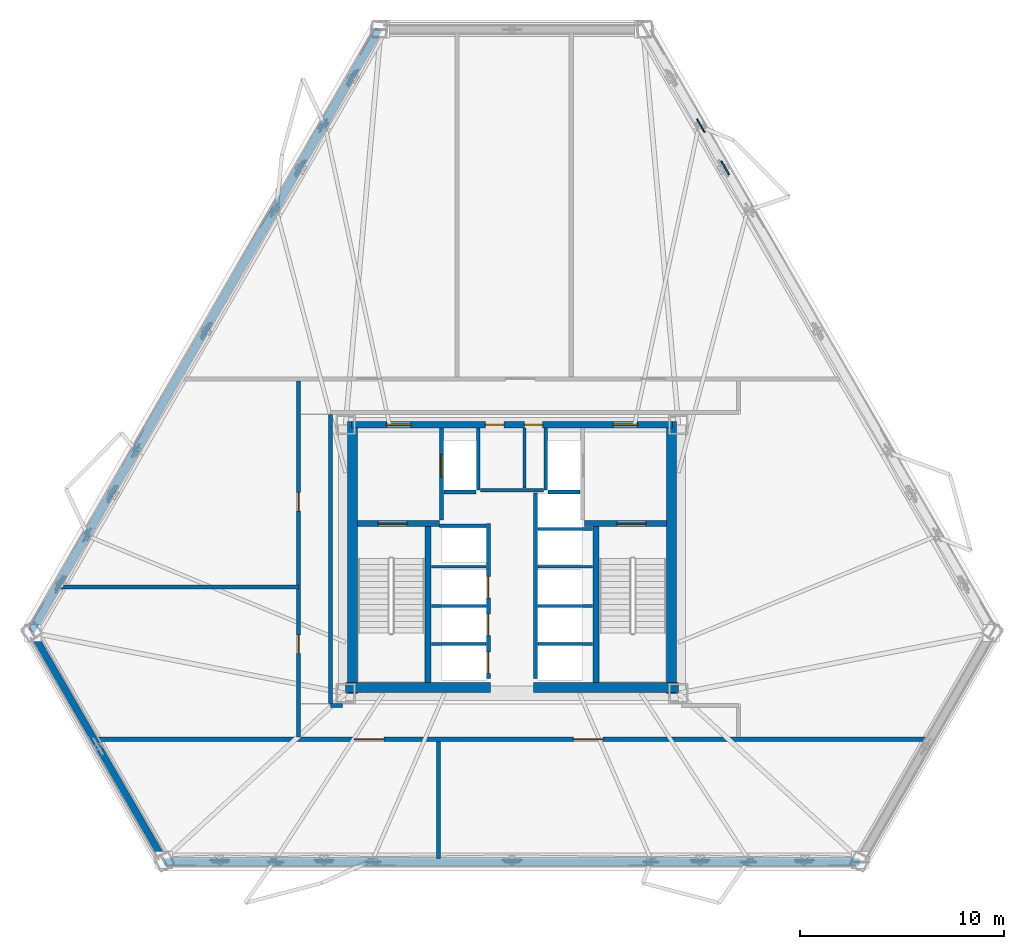
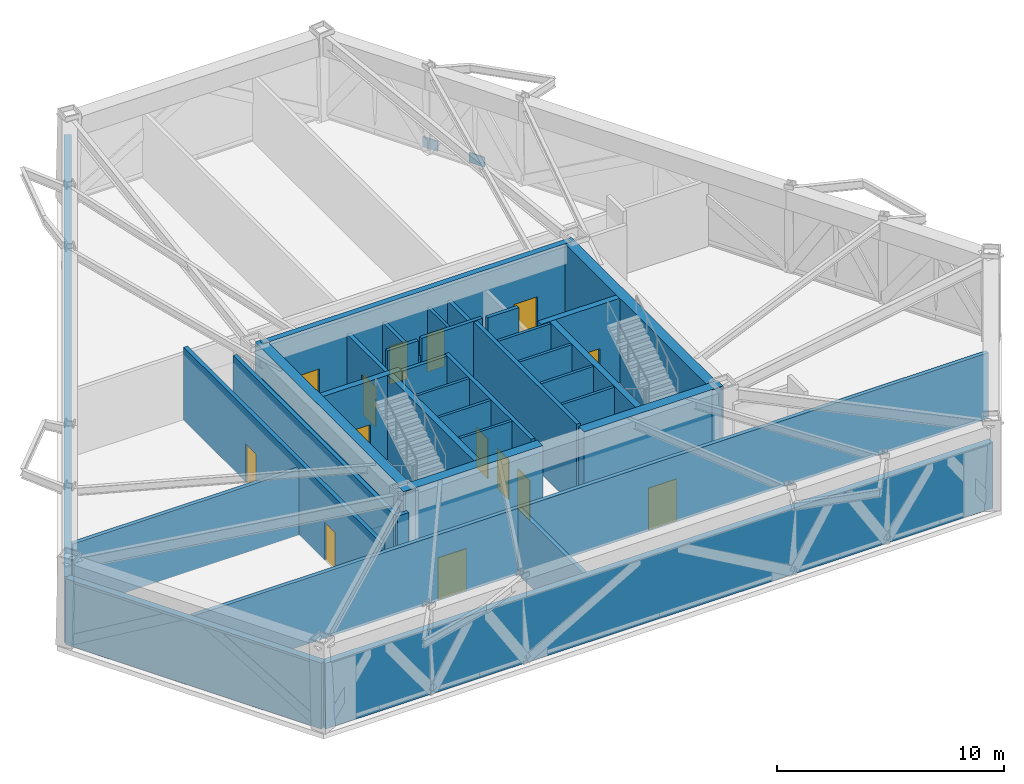
# One storey, part 7 of 11: 35 walls, 14 doors, 2 plates, 14 openings.
"""IFC4 building model written with IfcOpenShell, lengths in metres."""

import ifcopenshell
import ifcopenshell.guid

model = None  # the IFC model being written
_history = None  # IfcOwnerHistory: only IFC2X3 demands one
_inside = {}  # id of a spatial element -> (the spatial element, [elements in it])
_under = {}  # id of a project, library or spatial element -> (it, [spatial elements below it])
_declared = {}  # id of a project -> (the project, [libraries it declares])
_typed = {}  # id of a type object -> (the type object, [elements of that type])
_made_of = {}  # id of a material, layer set ... -> (it, [elements and type objects made of it])


def new_model(schema):
    """Start an empty IFC model of exactly this schema.

    Asked for "IFC4X3", IfcOpenShell would pick the latest addendum, in which some entities
    have other attributes; the version numbers below select the first issue.
    IFC2X3 requires an IfcOwnerHistory on every rooted entity: one is made here for all.
    """
    global model, _history
    if schema == "IFC4X3":
        model = ifcopenshell.file(schema_version=(4, 3, 0, 0))
    else:
        model = ifcopenshell.file(schema=schema)
    _inside.clear()
    _under.clear()
    _declared.clear()
    _typed.clear()
    _made_of.clear()
    _history = None
    if model.schema == "IFC2X3":
        org = make("IfcOrganization", Name="unknown")
        user = make(
            "IfcPersonAndOrganization",
            ThePerson=make("IfcPerson", FamilyName="unknown"),
            TheOrganization=org,
        )
        app = make(
            "IfcApplication",
            ApplicationDeveloper=org,
            Version="unknown",
            ApplicationFullName="unknown",
            ApplicationIdentifier="unknown",
        )
        _history = make(
            "IfcOwnerHistory",
            OwningUser=user,
            OwningApplication=app,
            ChangeAction="ADDED",
            CreationDate=0,
        )
    return model


def make(cls, **values):
    """One entity of the class cls with the attributes given. An attribute that is None is left unset."""
    return model.create_entity(
        cls, **{name: value for name, value in values.items() if value is not None}
    )


def rooted(cls, **values):
    """An entity with a GlobalId (a new one), such as an element, a storey or a relation."""
    return make(cls, GlobalId=ifcopenshell.guid.new(), OwnerHistory=_history, **values)


def si_unit(unit_type, name, prefix=None):
    """IfcSIUnit, for example si_unit("LENGTHUNIT", "METRE", prefix="MILLI")."""
    return make("IfcSIUnit", UnitType=unit_type, Prefix=prefix, Name=name)


def assignment(units):
    """IfcUnitAssignment: the units of a project."""
    return None if units is None else make("IfcUnitAssignment", Units=units)


def point(xyz):
    """IfcCartesianPoint."""
    return None if xyz is None else make("IfcCartesianPoint", Coordinates=xyz)


def direction(xyz):
    """IfcDirection."""
    return None if xyz is None else make("IfcDirection", DirectionRatios=xyz)


def frame(location, z_axis=None, x_axis=None):
    """IfcAxis2Placement3D, a coordinate frame: its origin and axes. An axis left out is left unset."""
    return make(
        "IfcAxis2Placement3D",
        Location=point(location),
        Axis=direction(z_axis),
        RefDirection=direction(x_axis),
    )


def frame_2d(location, x_axis=None):
    """IfcAxis2Placement2D, a coordinate frame in the plane: its origin and x axis."""
    return make(
        "IfcAxis2Placement2D", Location=point(location), RefDirection=direction(x_axis)
    )


def origin():
    """The frame at (0, 0, 0) with its axes left unset."""
    return frame((0.0, 0.0, 0.0))


def origin_2d():
    """The frame at (0, 0) in the plane with its x axis left unset."""
    return frame_2d((0.0, 0.0))


def place(relative_to, where):
    """IfcLocalPlacement: puts the frame where relative to a parent placement (None: the world)."""
    return make(
        "IfcLocalPlacement", PlacementRelTo=relative_to, RelativePlacement=where
    )


def context(
    kind, dimensions, precision=None, world=None, true_north=None, identifier=None
):
    """IfcGeometricRepresentationContext, for example the 3D "Model" context."""
    return make(
        "IfcGeometricRepresentationContext",
        ContextIdentifier=identifier,
        ContextType=kind,
        CoordinateSpaceDimension=dimensions,
        Precision=precision,
        WorldCoordinateSystem=world,
        TrueNorth=true_north,
    )


def subcontext(parent, identifier, kind, view, scale=None):
    """IfcGeometricRepresentationSubContext, for example "Body" below "Model"."""
    return make(
        "IfcGeometricRepresentationSubContext",
        ContextIdentifier=identifier,
        ContextType=kind,
        ParentContext=parent,
        TargetScale=scale,
        TargetView=view,
    )


def project(units=None, contexts=None):
    """IfcProject with its units and contexts."""
    return rooted(
        "IfcProject",
        Name="project",
        RepresentationContexts=contexts,
        UnitsInContext=assignment(units),
    )


def spatial(cls, under=None, at=None, **own):
    """A site, building, storey or space (cls), placed at a placement, below another one or the project."""
    s = rooted(cls, ObjectPlacement=at, **own)
    if under is not None:
        _under.setdefault(under.id(), (under, []))[1].append(s)
    return s


def profile(cls, at=None, kind="AREA", **sizes):
    """A parametric profile (cls). Its sizes go by their IFC names, for example OverallWidth=200.0."""
    return make(cls, ProfileType=kind, Position=at, **sizes)


def rectangle(**sizes):
    """IfcRectangleProfileDef."""
    return profile("IfcRectangleProfileDef", **sizes)


def extrude(swept, where, along, depth):
    """IfcExtrudedAreaSolid: the profile swept, set in the frame where, extruded along a direction by depth."""
    return make(
        "IfcExtrudedAreaSolid",
        SweptArea=swept,
        Position=where,
        ExtrudedDirection=direction(along),
        Depth=depth,
    )


def shape(context_of_items, identifier, shape_type, items):
    """IfcShapeRepresentation: the items that make up one representation, for example the "Body"."""
    return make(
        "IfcShapeRepresentation",
        ContextOfItems=context_of_items,
        RepresentationIdentifier=identifier,
        RepresentationType=shape_type,
        Items=items,
    )


def material(Name=None, Category=None):
    """IfcMaterial."""
    return make("IfcMaterial", Name=Name, Category=Category)


def layer(
    of_material, thickness, ventilated=None, Name=None, Category=None, Priority=None
):
    """IfcMaterialLayer: one layer of a wall or slab, of a material (None: an air gap)."""
    return make(
        "IfcMaterialLayer",
        Material=of_material,
        LayerThickness=thickness,
        IsVentilated=ventilated,
        Name=Name,
        Category=Category,
        Priority=Priority,
    )


def layer_set(layers, Name=None):
    """IfcMaterialLayerSet."""
    return make("IfcMaterialLayerSet", MaterialLayers=layers, LayerSetName=Name)


def made_of(thing, what):
    """Note that an element or type object is made of a material, layer set ...; save() writes the relation."""
    if what is not None:
        _made_of.setdefault(what.id(), (what, []))[1].append(thing)
    return thing


def type_object(cls, material=None, **own):
    """A type object (cls), such as IfcWallType, which elements share."""
    return made_of(rooted(cls, **own), material)


def element(
    cls,
    number,
    at=None,
    inside=None,
    cuts=None,
    type_object=None,
    material=None,
    context=None,
    identifier="Body",
    shape_type=None,
    held_by="IfcProductDefinitionShape",
    body=None,
    shapes=None,
    **own,
):
    """One element of the class cls, such as IfcWall. Its Tag is "e" and its number.

    at: its placement. inside: the storey or other place that contains it. cuts: it is an
    opening in that element (IfcRelVoidsElement). A single representation is given by context,
    identifier, shape_type and body (its items); several are given by shapes. held_by: the class
    of the entity that holds the representations. save() writes the other relations.
    """
    e = rooted(cls, Tag="e%d" % number, ObjectPlacement=at, **own)
    if body is not None:
        shapes = [shape(context, identifier, shape_type, body)]
    if shapes is not None:
        e.Representation = make(held_by, Representations=shapes)
    if inside is not None:
        _inside.setdefault(inside.id(), (inside, []))[1].append(e)
    if cuts is not None:
        rooted(
            "IfcRelVoidsElement", RelatingBuildingElement=cuts, RelatedOpeningElement=e
        )
    if type_object is not None:
        _typed.setdefault(type_object.id(), (type_object, []))[1].append(e)
    return made_of(e, material)


def fill(opening, filler):
    """IfcRelFillsElement: the door or window that sits in an opening."""
    return rooted(
        "IfcRelFillsElement",
        RelatingOpeningElement=opening,
        RelatedBuildingElement=filler,
    )


def aggregate(whole, parts):
    """IfcRelAggregates: a whole, such as a stair, and the parts it consists of."""
    return rooted("IfcRelAggregates", RelatingObject=whole, RelatedObjects=parts)


def save(model, path):
    """Write the relations noted so far, then the file.

    IfcRelAggregates (storeys below a building ...), IfcRelContainedInSpatialStructure (elements
    in a storey), IfcRelDefinesByType, IfcRelAssociatesMaterial and IfcRelDeclares: one each for
    every whole, place, type object, material and project.
    """
    for whole, parts in _under.values():
        aggregate(whole, parts)
    for where, things in _inside.values():
        rooted(
            "IfcRelContainedInSpatialStructure",
            RelatedElements=things,
            RelatingStructure=where,
        )
    for kind, things in _typed.values():
        rooted("IfcRelDefinesByType", RelatedObjects=things, RelatingType=kind)
    for what, things in _made_of.values():
        rooted("IfcRelAssociatesMaterial", RelatedObjects=things, RelatingMaterial=what)
    for by, libraries in _declared.values():
        rooted("IfcRelDeclares", RelatingContext=by, RelatedDefinitions=libraries)
    model.write(path)


model = new_model("IFC4")

# Units and contexts
model_context = context("Model", 3, precision=1e-05, world=origin(), true_north=direction((0.0, 1.0)))
body_context = subcontext(model_context, "Body", "Model", "MODEL_VIEW")
ifc_project = project(units=[si_unit("LENGTHUNIT", "METRE"), si_unit("AREAUNIT", "SQUARE_METRE"), si_unit("VOLUMEUNIT", "CUBIC_METRE"), si_unit("PLANEANGLEUNIT", "RADIAN"), si_unit("MASSUNIT", "GRAM", prefix="KILO")], contexts=[model_context])

# Site, building, storey
site_placement = place(None, origin())
site = spatial("IfcSite", under=ifc_project, at=site_placement, CompositionType="ELEMENT")
building_placement = place(site_placement, origin())
building = spatial("IfcBuilding", under=site, at=building_placement, Name="Oramaril Tower", CompositionType="ELEMENT")
storey_placement = place(building_placement, frame((0.0, 0.0, 77.699951171875)))
storey = spatial("IfcBuildingStorey", under=building, at=storey_placement, Name="L20", CompositionType="ELEMENT", Elevation=77.699951171875)

# Plates
ifc_material_1 = material(Name="Steel ASTM A572 Gr 50", Category="steel")
ifc_layer_1 = layer(ifc_material_1, 0.074951171875)
ifc_layer_set_1 = layer_set([ifc_layer_1], Name="PLT-G75")
plate_type = type_object("IfcPlateType", Name="PLT-G75", PredefinedType="USERDEFINED", material=ifc_layer_set_1)
plate_1_placement = place(storey_placement, frame((47.934814453125, 36.732177734375, 0.110107421875), z_axis=(0.0, 0.0, 1.0), x_axis=(-0.499995465495, 0.866028021766, 0.0)))
element("IfcPlate", 1, at=plate_1_placement, inside=storey, type_object=plate_type, Name="L20 Truss Mid-Chord Gusset Node KN-20B", ObjectType="GUSSET", PredefinedType="USERDEFINED", context=body_context, shape_type="SweptSolid", body=[
    extrude(rectangle(XDim=0.780029296875, YDim=0.074951171875, at=origin_2d()), origin(), (0.0, 0.0, 1.0), 0.52001953125),
])
plate_2_placement = place(storey_placement, frame((46.743896484375, 38.794677734375, 0.1201171875), z_axis=(0.0, 0.0, 1.0), x_axis=(-0.499995465495, 0.866028021766, 0.0)))
element("IfcPlate", 2, at=plate_2_placement, inside=storey, type_object=plate_type, Name="L20 Truss Base Gusset Node KN-20B", ObjectType="GUSSET", PredefinedType="USERDEFINED", context=body_context, shape_type="SweptSolid", body=[
    extrude(rectangle(XDim=0.760009765625, YDim=0.074951171875, at=origin_2d()), origin(), (0.0, 0.0, 1.0), 0.5400390625),
])

# Walls
ifc_material_2 = material(Name="Warm Cream Limestone", Category="masonry")
ifc_layer_2 = layer(ifc_material_2, 0.340087890625)
ifc_layer_set_2 = layer_set([ifc_layer_2], Name="WT-EXT34")
wall_type_1 = type_object("IfcWallType", Name="WT-EXT34", PredefinedType="SOLIDWALL", material=ifc_layer_set_2)
wall_1_placement = place(storey_placement, frame((13.96630859375, 14.043701171875, 0.0), z_axis=(0.0, 0.0, 1.0), x_axis=(0.499986004958, -0.866033483675, 0.0)))
element("IfcWall", 3, at=wall_1_placement, inside=storey, type_object=wall_type_1, Name="L20 Tower Limestone Facade Wall 1M", PredefinedType="SOLIDWALL", context=body_context, shape_type="SweptSolid", body=[
    extrude(rectangle(XDim=13.043701171875, YDim=0.340087890625, at=frame_2d((6.52197265625, 0.0))), origin(), (0.0, 0.0, 1.0), 3.550048828125),
])
wall_2_placement = place(storey_placement, frame((20.488037109375, 2.747314453125, 0.0), z_axis=(0.0, 0.0, 1.0), x_axis=(1.0, 0.0, 0.0)))
element("IfcWall", 4, at=wall_2_placement, inside=storey, type_object=wall_type_1, Name="L20 Tower Limestone Facade Wall 2M", PredefinedType="SOLIDWALL", context=body_context, shape_type="SweptSolid", body=[
    extrude(rectangle(XDim=34.02392578125, YDim=0.340087890625, at=frame_2d((17.011962890625, 0.0))), origin(), (0.0, 0.0, 1.0), 3.550048828125),
])
wall_3_placement = place(storey_placement, frame((30.97802734375, 43.509033203125, 0.0), z_axis=(0.0, 0.0, 1.0), x_axis=(-0.499997825845, -0.86602665903, 0.0)))
element("IfcWall", 5, at=wall_3_placement, inside=storey, type_object=wall_type_1, Name="L20 Tower Limestone Facade Wall 6M", PredefinedType="SOLIDWALL", context=body_context, shape_type="SweptSolid", body=[
    extrude(rectangle(XDim=34.023681640625, YDim=0.340087890625, at=frame_2d((17.01171875, 0.0))), origin(), (0.0, 0.0, 1.0), 3.550048828125),
])
ifc_material_3 = material(Name="Acoustic Gypsum Board Partition")
ifc_layer_3 = layer(ifc_material_3, 0.139892578125)
ifc_layer_set_3 = layer_set([ifc_layer_3], Name="WT-PT14")
wall_type_2 = type_object("IfcWallType", Name="WT-PT14", PredefinedType="PARTITIONING", material=ifc_layer_set_3)
for number, where, z_axis, x_axis, name in (
    (6, (33.56005859375, 13.419921875, 0.0), (0.0, 0.0, 1.0), (1.0, 0.0, 0.0), "L20 West Lift Divider"),
    (7, (33.56005859375, 15.27001953125, 0.0), (0.0, 0.0, 1.0), (1.0, 0.0, 0.0), "L20 West Lift Divider"),
    (8, (33.56005859375, 17.199951171875, 0.0), (0.0, 0.0, 1.0), (1.0, 0.0, 0.0), "L20 West Lift Divider"),
    (9, (38.780029296875, 13.419921875, 0.0), (0.0, 0.0, 1.0), (1.0, 0.0, 0.0), "L20 East Lift Divider"),
    (10, (38.780029296875, 15.27001953125, 0.0), (0.0, 0.0, 1.0), (1.0, 0.0, 0.0), "L20 East Lift Divider"),
    (11, (38.780029296875, 17.199951171875, 0.0), (0.0, 0.0, 1.0), (1.0, 0.0, 0.0), "L20 East Lift Divider"),
    (12, (38.780029296875, 19.050048828125, 0.0), (0.0, 0.0, 1.0), (1.0, 0.0, 0.0), "L20 East Lift Divider"),
):
    element("IfcWall", number, at=place(storey_placement, frame(where, z_axis=z_axis, x_axis=x_axis)), inside=storey, type_object=wall_type_2, Name=name, PredefinedType="PARTITIONING", context=body_context, shape_type="SweptSolid", body=[
        extrude(rectangle(XDim=2.659912109375, YDim=0.139892578125, at=frame_2d((1.330078125, 0.0))), origin(), (0.0, 0.0, 1.0), 4.56005859375),
    ])
wall_4_placement = place(storey_placement, frame((38.110107421875, 21.06005859375, 0.0), z_axis=(0.0, 0.0, 1.0), x_axis=(0.0, 1.0, 0.0)))
element("IfcWall", 13, at=wall_4_placement, inside=storey, type_object=wall_type_2, Name="L20 Core Service Divider", PredefinedType="PARTITIONING", context=body_context, shape_type="SweptSolid", body=[
    extrude(rectangle(XDim=2.919921875, YDim=0.139892578125, at=frame_2d((1.4599609375, 0.0))), origin(), (0.0, 0.0, 1.0), 3.60009765625),
])
ifc_material_4 = material(Name="Autoclaved Cellular Concrete Block", Category="concrete")
ifc_layer_4 = layer(ifc_material_4, 0.179931640625)
ifc_layer_set_4 = layer_set([ifc_layer_4], Name="WT-PT18")
wall_type_3 = type_object("IfcWallType", Name="WT-PT18", PredefinedType="PARTITIONING", material=ifc_layer_set_4)
wall_5_placement = place(storey_placement, frame((35.840087890625, 20.9599609375, 0.0), z_axis=(0.0, 0.0, 1.0), x_axis=(0.0, 1.0, 0.0)))
element("IfcWall", 14, at=wall_5_placement, inside=storey, type_object=wall_type_3, Name="L20 FL-1 East Shaft Wall", PredefinedType="PARTITIONING", context=body_context, shape_type="SweptSolid", body=[
    extrude(rectangle(XDim=3.02001953125, YDim=0.179931640625, at=frame_2d((1.510009765625, 0.0))), origin(), (0.0, 0.0, 1.0), 3.60009765625),
])
wall_6_placement = place(storey_placement, frame((34.159912109375, 20.860107421875, 0.0), z_axis=(0.0, 0.0, 1.0), x_axis=(1.0, 0.0, 0.0)))
element("IfcWall", 15, at=wall_6_placement, inside=storey, type_object=wall_type_3, Name="L20 FL-1 South Shaft Wall", PredefinedType="PARTITIONING", context=body_context, shape_type="SweptSolid", body=[
    extrude(rectangle(XDim=1.580078125, YDim=0.179931640625, at=frame_2d((0.7900390625, 0.0))), origin(), (0.0, 0.0, 1.0), 4.56005859375),
])
wall_7_placement = place(storey_placement, frame((39.159912109375, 20.9599609375, 0.0), z_axis=(0.0, 0.0, 1.0), x_axis=(0.0, 1.0, 0.0)))
element("IfcWall", 16, at=wall_7_placement, inside=storey, type_object=wall_type_3, Name="L20 FL-2 West Shaft Wall", PredefinedType="PARTITIONING", context=body_context, shape_type="SweptSolid", body=[
    extrude(rectangle(XDim=3.02001953125, YDim=0.179931640625, at=frame_2d((1.510009765625, 0.0))), origin(), (0.0, 0.0, 1.0), 3.60009765625),
])
wall_8_placement = place(storey_placement, frame((39.260009765625, 20.860107421875, 0.0), z_axis=(0.0, 0.0, 1.0), x_axis=(1.0, 0.0, 0.0)))
element("IfcWall", 17, at=wall_8_placement, inside=storey, type_object=wall_type_3, Name="L20 FL-2 South Shaft Wall", PredefinedType="PARTITIONING", context=body_context, shape_type="SweptSolid", body=[
    extrude(rectangle(XDim=1.580078125, YDim=0.179931640625, at=frame_2d((0.7900390625, 0.0))), origin(), (0.0, 0.0, 1.0), 4.56005859375),
])
wall_9_placement = place(storey_placement, frame((33.949951171875, 19.199951171875, 0.0), z_axis=(0.0, 0.0, 1.0), x_axis=(1.0, 0.0, 0.0)))
element("IfcWall", 18, at=wall_9_placement, inside=storey, type_object=wall_type_3, Name="L20 High-Rise Lift H1 North Shaft Wall", PredefinedType="PARTITIONING", context=body_context, shape_type="SweptSolid", body=[
    extrude(rectangle(XDim=2.27001953125, YDim=0.179931640625, at=frame_2d((1.135009765625, 0.0))), origin(), (0.0, 0.0, 1.0), 4.56005859375),
])
wall_10_placement = place(storey_placement, frame((35.949951171875, 20.949951171875, 0.0), z_axis=(0.0, 0.0, 1.0), x_axis=(1.0, 0.0, 0.0)))
element("IfcWall", 19, at=wall_10_placement, inside=storey, type_object=wall_type_3, Name="L20 Lift Lobby North Partition", PredefinedType="PARTITIONING", context=body_context, shape_type="SweptSolid", body=[
    extrude(rectangle(XDim=3.10009765625, YDim=0.179931640625, at=frame_2d((1.550048828125, 0.0))), origin(), (0.0, 0.0, 1.0), 4.56005859375),
])

# Wall, openings, doors
ifc_material_5 = material(Name="Autoclaved Cellular Concrete Block", Category="concrete")
ifc_layer_5 = layer(ifc_material_5, 0.199951171875)
ifc_layer_set_5 = layer_set([ifc_layer_5], Name="WT-PT20")
wall_type_4 = type_object("IfcWallType", Name="WT-PT20", PredefinedType="PARTITIONING", material=ifc_layer_set_5)
wall_11_placement = place(storey_placement, frame((17.223388671875, 8.75, 0.0), z_axis=(0.0, 0.0, 1.0), x_axis=(1.0, 0.0, 0.0)))
wall_11 = element("IfcWall", 20, at=wall_11_placement, inside=storey, type_object=wall_type_4, Name="L20 Interior Partition PT-20", PredefinedType="PARTITIONING", context=body_context, shape_type="SweptSolid", body=[
    extrude(rectangle(XDim=40.55322265625, YDim=0.199951171875, at=frame_2d((20.276611328125, 0.0))), origin(), (0.0, 0.0, 1.0), 3.550048828125),
])
opening_1_placement = place(wall_11_placement, frame((12.552490234375, 0.0, 0.0)))
opening_1 = element("IfcOpeningElement", 21, at=opening_1_placement, cuts=wall_11, Name="Opening D-L20-01", PredefinedType="OPENING", context=body_context, shape_type="SweptSolid", body=[
    extrude(rectangle(XDim=1.449951171875, YDim=2.25, at=frame_2d((0.72509765625, 1.125))), frame((0.0, 0.10009765625, 0.0), z_axis=(0.0, -1.0, 0.0), x_axis=(1.0, 0.0, 0.0)), (0.0, 0.0, 1.0), 0.199951171875),
])
opening_2_placement = place(wall_11_placement, frame((23.275634765625, 0.0, 0.0)))
opening_2 = element("IfcOpeningElement", 22, at=opening_2_placement, cuts=wall_11, Name="Opening D-L20-02", PredefinedType="OPENING", context=body_context, shape_type="SweptSolid", body=[
    extrude(rectangle(XDim=1.449951171875, YDim=2.25, at=frame_2d((0.72509765625, 1.125))), frame((0.0, 0.10009765625, 0.0), z_axis=(0.0, -1.0, 0.0), x_axis=(1.0, 0.0, 0.0)), (0.0, 0.0, 1.0), 0.199951171875),
])
ifc_material_6 = material(Name="Painted Galvanised Steel", Category="steel")
door_type_1 = type_object("IfcDoorType", Name="DT-PLT", OperationType="NOTDEFINED", PredefinedType="DOOR", material=ifc_material_6)
door_1_placement = place(opening_1_placement, origin())
door_1 = element("IfcDoor", 23, at=door_1_placement, inside=storey, type_object=door_type_1, Name="L20 L20 Chiller Plant Room Door D-L20-01", OperationType="SINGLE_SWING_RIGHT", OverallHeight=2.25, OverallWidth=1.449951171875, PredefinedType="DOOR", context=body_context, shape_type="SweptSolid", body=[
    extrude(rectangle(XDim=1.449951171875, YDim=2.25, at=frame_2d((0.72509765625, 1.125))), frame((0.0, 0.02490234375, 0.0), z_axis=(0.0, -1.0, 0.0), x_axis=(1.0, 0.0, 0.0)), (0.0, 0.0, 1.0), 0.050048828125),
])
fill(opening_1, door_1)
door_2_placement = place(opening_2_placement, origin())
door_2 = element("IfcDoor", 24, at=door_2_placement, inside=storey, type_object=door_type_1, Name="L20 L20 Air Handling Plant Room Door D-L20-02", OperationType="SINGLE_SWING_LEFT", OverallHeight=2.25, OverallWidth=1.449951171875, PredefinedType="DOOR", context=body_context, shape_type="SweptSolid", body=[
    extrude(rectangle(XDim=1.449951171875, YDim=2.25, at=frame_2d((0.72509765625, 1.125))), frame((0.0, 0.02490234375, 0.0), z_axis=(0.0, -1.0, 0.0), x_axis=(1.0, 0.0, 0.0)), (0.0, 0.0, 1.0), 0.050048828125),
])
fill(opening_2, door_2)

# Walls
wall_12_placement = place(storey_placement, frame((28.6201171875, 10.39990234375, 0.0), z_axis=(0.0, 0.0, 1.0), x_axis=(1.0, 0.0, 0.0)))
element("IfcWall", 25, at=wall_12_placement, inside=storey, type_object=wall_type_4, Name="L20 Interior Partition PT-20", PredefinedType="PARTITIONING", context=body_context, shape_type="SweptSolid", body=[
    extrude(rectangle(XDim=0.579833984375, YDim=0.199951171875, at=frame_2d((0.2900390625, 0.0))), origin(), (0.0, 0.0, 1.0), 3.93798828125),
])
wall_13_placement = place(storey_placement, frame((15.412109375, 16.199951171875, 0.0), z_axis=(0.0, 0.0, 1.0), x_axis=(1.0, 0.0, 0.0)))
element("IfcWall", 26, at=wall_13_placement, inside=storey, type_object=wall_type_4, Name="L20 Interior Partition PT-20", PredefinedType="PARTITIONING", context=body_context, shape_type="SweptSolid", body=[
    extrude(rectangle(XDim=11.637939453125, YDim=0.199951171875, at=frame_2d((5.81884765625, 0.0))), origin(), (0.0, 0.0, 1.0), 3.550048828125),
])

# Wall, openings, doors
wall_14_placement = place(storey_placement, frame((27.050048828125, 8.85400390625, 0.0), z_axis=(0.0, 0.0, 1.0), x_axis=(0.0, 1.0, 0.0)))
wall_14 = element("IfcWall", 27, at=wall_14_placement, inside=storey, type_object=wall_type_4, Name="L20 Interior Partition PT-20", PredefinedType="PARTITIONING", context=body_context, shape_type="SweptSolid", body=[
    extrude(rectangle(XDim=17.44189453125, YDim=0.199951171875, at=frame_2d((8.720947265625, 0.0))), origin(), (0.0, 0.0, 1.0), 3.93798828125),
])
opening_3_placement = place(wall_14_placement, frame((4.095703125, 0.0, 0.0)))
opening_3 = element("IfcOpeningElement", 28, at=opening_3_placement, cuts=wall_14, Name="Opening D-L20-06", PredefinedType="OPENING", context=body_context, shape_type="SweptSolid", body=[
    extrude(rectangle(XDim=0.89990234375, YDim=2.050048828125, at=frame_2d((0.449951171875, 1.02490234375))), frame((0.0, 0.10009765625, 0.0), z_axis=(0.0, -1.0, 0.0), x_axis=(1.0, 0.0, 0.0)), (0.0, 0.0, 1.0), 0.199951171875),
])
opening_4_placement = place(wall_14_placement, frame((11.0703125, 0.0, 0.0)))
opening_4 = element("IfcOpeningElement", 29, at=opening_4_placement, cuts=wall_14, Name="Opening D-L20-07", PredefinedType="OPENING", context=body_context, shape_type="SweptSolid", body=[
    extrude(rectangle(XDim=0.89990234375, YDim=2.050048828125, at=frame_2d((0.449951171875, 1.02490234375))), frame((0.0, 0.10009765625, 0.0), z_axis=(0.0, -1.0, 0.0), x_axis=(1.0, 0.0, 0.0)), (0.0, 0.0, 1.0), 0.199951171875),
])
ifc_material_7 = material(Name="Painted Galvanised Steel", Category="steel")
door_type_2 = type_object("IfcDoorType", Name="DT-SVC", OperationType="NOTDEFINED", PredefinedType="DOOR", material=ifc_material_7)
door_3_placement = place(opening_3_placement, origin())
door_3 = element("IfcDoor", 30, at=door_3_placement, inside=storey, type_object=door_type_2, Name="L20 L20 Water Booster Plant Room Door D-L20-06", OperationType="SINGLE_SWING_LEFT", OverallHeight=2.050048828125, OverallWidth=0.89990234375, PredefinedType="DOOR", context=body_context, shape_type="SweptSolid", body=[
    extrude(rectangle(XDim=0.89990234375, YDim=2.050048828125, at=frame_2d((0.449951171875, 1.02490234375))), frame((0.0, 0.02490234375, 0.0), z_axis=(0.0, -1.0, 0.0), x_axis=(1.0, 0.0, 0.0)), (0.0, 0.0, 1.0), 0.050048828125),
])
fill(opening_3, door_3)
door_4_placement = place(opening_4_placement, origin())
door_4 = element("IfcDoor", 31, at=door_4_placement, inside=storey, type_object=door_type_2, Name="L20 L20 BMS and Controls Plant Room Door D-L20-07", OperationType="SINGLE_SWING_RIGHT", OverallHeight=2.050048828125, OverallWidth=0.89990234375, PredefinedType="DOOR", context=body_context, shape_type="SweptSolid", body=[
    extrude(rectangle(XDim=0.89990234375, YDim=2.050048828125, at=frame_2d((0.449951171875, 1.02490234375))), frame((0.0, 0.02490234375, 0.0), z_axis=(0.0, -1.0, 0.0), x_axis=(1.0, 0.0, 0.0)), (0.0, 0.0, 1.0), 0.050048828125),
])
fill(opening_4, door_4)

# Walls
wall_15_placement = place(storey_placement, frame((28.6201171875, 10.50390625, 0.0), z_axis=(0.0, 0.0, 1.0), x_axis=(0.0, 1.0, 0.0)))
element("IfcWall", 32, at=wall_15_placement, inside=storey, type_object=wall_type_4, Name="L20 Interior Partition PT-20", PredefinedType="PARTITIONING", context=body_context, shape_type="SweptSolid", body=[
    extrude(rectangle(XDim=14.14208984375, YDim=0.199951171875, at=frame_2d((7.071044921875, 0.0))), origin(), (0.0, 0.0, 1.0), 3.93798828125),
])
wall_16_placement = place(storey_placement, frame((33.89990234375, 2.921142578125, 0.0), z_axis=(0.0, 0.0, 1.0), x_axis=(0.0, 1.0, 0.0)))
element("IfcWall", 33, at=wall_16_placement, inside=storey, type_object=wall_type_4, Name="L20 Interior Partition PT-20", PredefinedType="PARTITIONING", context=body_context, shape_type="SweptSolid", body=[
    extrude(rectangle(XDim=5.724853515625, YDim=0.199951171875, at=frame_2d((2.8623046875, 0.0))), origin(), (0.0, 0.0, 1.0), 3.550048828125),
])

# Wall, openings, doors
ifc_material_8 = material(Name="Concrete C50/60", Category="concrete")
ifc_layer_6 = layer(ifc_material_8, 0.300048828125)
ifc_layer_set_6 = layer_set([ifc_layer_6], Name="WT-SH30")
wall_type_5 = type_object("IfcWallType", Name="WT-SH30", PredefinedType="SHEAR", material=ifc_layer_set_6)
wall_17_placement = place(storey_placement, frame((29.64990234375, 24.14990234375, 0.0), z_axis=(0.0, 0.0, 1.0), x_axis=(1.0, 0.0, 0.0)))
wall_17 = element("IfcWall", 34, at=wall_17_placement, inside=storey, type_object=wall_type_5, Name="L20 Core Shear Wall CW-N", PredefinedType="SHEAR", context=body_context, shape_type="SweptSolid", body=[
    extrude(rectangle(XDim=15.7001953125, YDim=0.300048828125, at=frame_2d((7.85009765625, 0.0))), origin(), (0.0, 0.0, 1.0), 4.56005859375),
])
opening_5_placement = place(wall_17_placement, frame((1.699951171875, 0.0, 0.0)))
opening_5 = element("IfcOpeningElement", 35, at=opening_5_placement, cuts=wall_17, Name="Opening D-L20-FFL1", PredefinedType="OPENING", context=body_context, shape_type="SweptSolid", body=[
    extrude(rectangle(XDim=1.199951171875, YDim=2.199951171875, at=frame_2d((0.60009765625, 1.10009765625))), frame((0.0, 0.14990234375, 0.0), z_axis=(0.0, -1.0, 0.0), x_axis=(1.0, 0.0, 0.0)), (0.0, 0.0, 1.0), 0.300048828125),
])
opening_6_placement = place(wall_17_placement, frame((12.800048828125, 0.0, 0.0)))
opening_6 = element("IfcOpeningElement", 36, at=opening_6_placement, cuts=wall_17, Name="Opening D-L20-FFL2", PredefinedType="OPENING", context=body_context, shape_type="SweptSolid", body=[
    extrude(rectangle(XDim=1.199951171875, YDim=2.199951171875, at=frame_2d((0.60009765625, 1.10009765625))), frame((0.0, 0.14990234375, 0.0), z_axis=(0.0, -1.0, 0.0), x_axis=(1.0, 0.0, 0.0)), (0.0, 0.0, 1.0), 0.300048828125),
])
opening_7_placement = place(wall_17_placement, frame((6.550048828125, 0.0, 0.0)))
opening_7 = element("IfcOpeningElement", 37, at=opening_7_placement, cuts=wall_17, Name="Opening D-L20-SV1", PredefinedType="OPENING", context=body_context, shape_type="SweptSolid", body=[
    extrude(rectangle(XDim=0.89990234375, YDim=2.050048828125, at=frame_2d((0.449951171875, 1.02490234375))), frame((0.0, 0.14990234375, 0.0), z_axis=(0.0, -1.0, 0.0), x_axis=(1.0, 0.0, 0.0)), (0.0, 0.0, 1.0), 0.300048828125),
])
opening_8_placement = place(wall_17_placement, frame((8.449951171875, 0.0, 0.0)))
opening_8 = element("IfcOpeningElement", 38, at=opening_8_placement, cuts=wall_17, Name="Opening D-L20-SV2", PredefinedType="OPENING", context=body_context, shape_type="SweptSolid", body=[
    extrude(rectangle(XDim=0.89990234375, YDim=2.050048828125, at=frame_2d((0.449951171875, 1.02490234375))), frame((0.0, 0.14990234375, 0.0), z_axis=(0.0, -1.0, 0.0), x_axis=(1.0, 0.0, 0.0)), (0.0, 0.0, 1.0), 0.300048828125),
])
ifc_material_9 = material(Name="Painted Galvanised Steel", Category="steel")
door_type_3 = type_object("IfcDoorType", Name="DT-FFL", OperationType="NOTDEFINED", PredefinedType="DOOR", material=ifc_material_9)
door_5_placement = place(opening_5_placement, origin())
door_5 = element("IfcDoor", 39, at=door_5_placement, inside=storey, type_object=door_type_3, Name="L20 Firefighting Lobby 1 Fire Door", OperationType="SINGLE_SWING_LEFT", OverallHeight=2.199951171875, OverallWidth=1.199951171875, PredefinedType="DOOR", context=body_context, shape_type="SweptSolid", body=[
    extrude(rectangle(XDim=1.199951171875, YDim=2.199951171875, at=frame_2d((0.60009765625, 1.10009765625))), frame((0.0, 0.02490234375, 0.0), z_axis=(0.0, -1.0, 0.0), x_axis=(1.0, 0.0, 0.0)), (0.0, 0.0, 1.0), 0.050048828125),
])
fill(opening_5, door_5)
door_6_placement = place(opening_6_placement, origin())
door_6 = element("IfcDoor", 40, at=door_6_placement, inside=storey, type_object=door_type_3, Name="L20 Firefighting Lobby 2 Fire Door", OperationType="SINGLE_SWING_RIGHT", OverallHeight=2.199951171875, OverallWidth=1.199951171875, PredefinedType="DOOR", context=body_context, shape_type="SweptSolid", body=[
    extrude(rectangle(XDim=1.199951171875, YDim=2.199951171875, at=frame_2d((0.60009765625, 1.10009765625))), frame((0.0, 0.02490234375, 0.0), z_axis=(0.0, -1.0, 0.0), x_axis=(1.0, 0.0, 0.0)), (0.0, 0.0, 1.0), 0.050048828125),
])
fill(opening_6, door_6)
door_7_placement = place(opening_7_placement, origin())
door_7 = element("IfcDoor", 41, at=door_7_placement, inside=storey, type_object=door_type_2, Name="L20 Core Service Store 1 Door", OperationType="SINGLE_SWING_LEFT", OverallHeight=2.050048828125, OverallWidth=0.89990234375, PredefinedType="DOOR", context=body_context, shape_type="SweptSolid", body=[
    extrude(rectangle(XDim=0.89990234375, YDim=2.050048828125, at=frame_2d((0.449951171875, 1.02490234375))), frame((0.0, 0.02490234375, 0.0), z_axis=(0.0, -1.0, 0.0), x_axis=(1.0, 0.0, 0.0)), (0.0, 0.0, 1.0), 0.050048828125),
])
fill(opening_7, door_7)
door_8_placement = place(opening_8_placement, origin())
door_8 = element("IfcDoor", 42, at=door_8_placement, inside=storey, type_object=door_type_2, Name="L20 Core Service Store 2 Door", OperationType="SINGLE_SWING_RIGHT", OverallHeight=2.050048828125, OverallWidth=0.89990234375, PredefinedType="DOOR", context=body_context, shape_type="SweptSolid", body=[
    extrude(rectangle(XDim=0.89990234375, YDim=2.050048828125, at=frame_2d((0.449951171875, 1.02490234375))), frame((0.0, 0.02490234375, 0.0), z_axis=(0.0, -1.0, 0.0), x_axis=(1.0, 0.0, 0.0)), (0.0, 0.0, 1.0), 0.050048828125),
])
fill(opening_8, door_8)

# Wall, opening, door
wall_18_placement = place(storey_placement, frame((29.93994140625, 19.31005859375, 0.0), z_axis=(0.0, 0.0, 1.0), x_axis=(1.0, 0.0, 0.0)))
wall_18 = element("IfcWall", 43, at=wall_18_placement, inside=storey, type_object=wall_type_5, Name="L20 Core Shear Wall CW-ST1N", PredefinedType="SHEAR", context=body_context, shape_type="SweptSolid", body=[
    extrude(rectangle(XDim=4.010009765625, YDim=0.300048828125, at=frame_2d((2.0048828125, 0.0))), origin(), (0.0, 0.0, 1.0), 4.56005859375),
])
opening_9_placement = place(wall_18_placement, frame((1.010009765625, 0.0, 0.0)))
opening_9 = element("IfcOpeningElement", 44, at=opening_9_placement, cuts=wall_18, Name="Opening D-L20-ST1", PredefinedType="OPENING", context=body_context, shape_type="SweptSolid", body=[
    extrude(rectangle(XDim=1.39990234375, YDim=2.199951171875, at=frame_2d((0.699951171875, 1.10009765625))), frame((0.0, 0.14990234375, 0.0), z_axis=(0.0, -1.0, 0.0), x_axis=(1.0, 0.0, 0.0)), (0.0, 0.0, 1.0), 0.300048828125),
])
ifc_material_10 = material(Name="Painted Galvanised Steel", Category="steel")
door_type_4 = type_object("IfcDoorType", Name="DT-ST", OperationType="NOTDEFINED", PredefinedType="DOOR", material=ifc_material_10)
door_9_placement = place(opening_9_placement, origin())
door_9 = element("IfcDoor", 45, at=door_9_placement, inside=storey, type_object=door_type_4, Name="L20 Protected Stair ST-1 Fire Door", OperationType="SINGLE_SWING_LEFT", OverallHeight=2.199951171875, OverallWidth=1.39990234375, PredefinedType="DOOR", context=body_context, shape_type="SweptSolid", body=[
    extrude(rectangle(XDim=1.39990234375, YDim=2.199951171875, at=frame_2d((0.699951171875, 1.10009765625))), frame((0.0, 0.02490234375, 0.0), z_axis=(0.0, -1.0, 0.0), x_axis=(1.0, 0.0, 0.0)), (0.0, 0.0, 1.0), 0.050048828125),
])
fill(opening_9, door_9)

wall_19_placement = place(storey_placement, frame((41.050048828125, 19.31005859375, 0.0), z_axis=(0.0, 0.0, 1.0), x_axis=(1.0, 0.0, 0.0)))
wall_19 = element("IfcWall", 46, at=wall_19_placement, inside=storey, type_object=wall_type_5, Name="L20 Core Shear Wall CW-ST2N", PredefinedType="SHEAR", context=body_context, shape_type="SweptSolid", body=[
    extrude(rectangle(XDim=4.010009765625, YDim=0.300048828125, at=frame_2d((2.0048828125, 0.0))), origin(), (0.0, 0.0, 1.0), 4.56005859375),
])
opening_10_placement = place(wall_19_placement, frame((1.60009765625, 0.0, 0.0)))
opening_10 = element("IfcOpeningElement", 47, at=opening_10_placement, cuts=wall_19, Name="Opening D-L20-ST2", PredefinedType="OPENING", context=body_context, shape_type="SweptSolid", body=[
    extrude(rectangle(XDim=1.39990234375, YDim=2.199951171875, at=frame_2d((0.699951171875, 1.10009765625))), frame((0.0, 0.14990234375, 0.0), z_axis=(0.0, -1.0, 0.0), x_axis=(1.0, 0.0, 0.0)), (0.0, 0.0, 1.0), 0.300048828125),
])
door_10_placement = place(opening_10_placement, origin())
door_10 = element("IfcDoor", 48, at=door_10_placement, inside=storey, type_object=door_type_4, Name="L20 Protected Stair ST-2 Fire Door", OperationType="SINGLE_SWING_RIGHT", OverallHeight=2.199951171875, OverallWidth=1.39990234375, PredefinedType="DOOR", context=body_context, shape_type="SweptSolid", body=[
    extrude(rectangle(XDim=1.39990234375, YDim=2.199951171875, at=frame_2d((0.699951171875, 1.10009765625))), frame((0.0, 0.02490234375, 0.0), z_axis=(0.0, -1.0, 0.0), x_axis=(1.0, 0.0, 0.0)), (0.0, 0.0, 1.0), 0.050048828125),
])
fill(opening_10, door_10)

# Walls
for number, where, z_axis, x_axis, name in (
    (49, (33.3798828125, 11.5400390625, 0.0), (0.0, 0.0, 1.0), (0.0, 1.0, 0.0), "L20 Core Shear Wall CW-ST1E"),
    (50, (41.6201171875, 11.5400390625, 0.0), (0.0, 0.0, 1.0), (0.0, 1.0, 0.0), "L20 Core Shear Wall CW-ST2W"),
):
    element("IfcWall", number, at=place(storey_placement, frame(where, z_axis=z_axis, x_axis=x_axis)), inside=storey, type_object=wall_type_5, Name=name, PredefinedType="SHEAR", context=body_context, shape_type="SweptSolid", body=[
        extrude(rectangle(XDim=7.619873046875, YDim=0.300048828125, at=frame_2d((3.81005859375, 0.0))), origin(), (0.0, 0.0, 1.0), 4.56005859375),
    ])
ifc_material_11 = material(Name="Concrete C50/60", Category="concrete")
ifc_layer_7 = layer(ifc_material_11, 0.5)
ifc_layer_set_7 = layer_set([ifc_layer_7], Name="WT-SH50")
wall_type_6 = type_object("IfcWallType", Name="WT-SH50", PredefinedType="SHEAR", material=ifc_layer_set_7)
for number, where, z_axis, x_axis, name in (
    (51, (29.68994140625, 11.0, 0.0), (0.0, 0.0, 1.0), (0.0, 1.0, 0.0), "L20 Core Shear Wall CW-W"),
    (52, (45.31005859375, 11.0, 0.0), (0.0, 0.0, 1.0), (0.0, 1.0, 0.0), "L20 Core Shear Wall CW-E"),
):
    element("IfcWall", number, at=place(storey_placement, frame(where, z_axis=z_axis, x_axis=x_axis)), inside=storey, type_object=wall_type_6, Name=name, PredefinedType="SHEAR", context=body_context, shape_type="SweptSolid", body=[
        extrude(rectangle(XDim=13.300048828125, YDim=0.5, at=frame_2d((6.64990234375, 0.0))), origin(), (0.0, 0.0, 1.0), 4.56005859375),
    ])
for number, where, z_axis, x_axis, name in (
    (53, (29.35009765625, 11.2900390625, 0.0), (0.0, 0.0, 1.0), (1.0, 0.0, 0.0), "L20 Core Shear Wall CW-SW"),
    (54, (38.550048828125, 11.2900390625, 0.0), (0.0, 0.0, 1.0), (1.0, 0.0, 0.0), "L20 Core Shear Wall CW-SE"),
):
    element("IfcWall", number, at=place(storey_placement, frame(where, z_axis=z_axis, x_axis=x_axis)), inside=storey, type_object=wall_type_6, Name=name, PredefinedType="SHEAR", context=body_context, shape_type="SweptSolid", body=[
        extrude(rectangle(XDim=7.099853515625, YDim=0.5, at=frame_2d((3.5498046875, 0.0))), origin(), (0.0, 0.0, 1.0), 4.56005859375),
    ])

# Wall, opening, door
ifc_material_12 = material(Name="Autoclaved Cellular Concrete Block", Category="concrete")
ifc_layer_8 = layer(ifc_material_12, 0.199951171875)
ifc_layer_set_8 = layer_set([ifc_layer_8], Name="WT-SHF20")
wall_type_7 = type_object("IfcWallType", Name="WT-SHF20", PredefinedType="PARTITIONING", material=ifc_layer_set_8)
wall_20_placement = place(storey_placement, frame((34.0400390625, 19.47998046875, 0.0), z_axis=(0.0, 0.0, 1.0), x_axis=(0.0, 1.0, 0.0)))
wall_20 = element("IfcWall", 55, at=wall_20_placement, inside=storey, type_object=wall_type_7, Name="L20 FL-1 Lobby Shaft Wall", PredefinedType="PARTITIONING", context=body_context, shape_type="SweptSolid", body=[
    extrude(rectangle(XDim=4.5, YDim=0.199951171875, at=frame_2d((2.25, 0.0))), origin(), (0.0, 0.0, 1.0), 3.60009765625),
])
opening_11_placement = place(wall_20_placement, frame((2.1201171875, 0.0, 0.0)))
opening_11 = element("IfcOpeningElement", 56, at=opening_11_placement, cuts=wall_20, Name="Opening LD-L20-FL-1", PredefinedType="OPENING", context=body_context, shape_type="SweptSolid", body=[
    extrude(rectangle(XDim=1.10009765625, YDim=2.199951171875, at=frame_2d((0.550048828125, 1.10009765625))), frame((0.0, 0.10009765625, 0.0), z_axis=(0.0, -1.0, 0.0), x_axis=(1.0, 0.0, 0.0)), (0.0, 0.0, 1.0), 0.199951171875),
])
ifc_material_13 = material(Name="Stainless Steel 316L", Category="steel")
door_type_5 = type_object("IfcDoorType", Name="DT-LD1", OperationType="NOTDEFINED", PredefinedType="DOOR", material=ifc_material_13)
door_11_placement = place(opening_11_placement, origin())
door_11 = element("IfcDoor", 57, at=door_11_placement, inside=storey, type_object=door_type_5, Name="L20 Lift FL-1 Sliding Landing Door", OperationType="SLIDING_TO_LEFT", OverallHeight=2.199951171875, OverallWidth=1.10009765625, PredefinedType="DOOR", context=body_context, shape_type="SweptSolid", body=[
    extrude(rectangle(XDim=1.10009765625, YDim=2.199951171875, at=frame_2d((0.550048828125, 1.10009765625))), frame((0.0, 0.02490234375, 0.0), z_axis=(0.0, -1.0, 0.0), x_axis=(1.0, 0.0, 0.0)), (0.0, 0.0, 1.0), 0.050048828125),
])
fill(opening_11, door_11)

# Wall, openings, doors
wall_21_placement = place(storey_placement, frame((36.340087890625, 11.719970703125, 0.0), z_axis=(0.0, 0.0, 1.0), x_axis=(0.0, 1.0, 0.0)))
wall_21 = element("IfcWall", 58, at=wall_21_placement, inside=storey, type_object=wall_type_7, Name="L20 West Lift Bank Front Wall", PredefinedType="PARTITIONING", context=body_context, shape_type="SweptSolid", body=[
    extrude(rectangle(XDim=7.60009765625, YDim=0.199951171875, at=frame_2d((3.800048828125, 0.0))), origin(), (0.0, 0.0, 1.0), 4.56005859375),
])
opening_12_placement = place(wall_21_placement, frame((0.2548828125, 0.0, 0.0)))
opening_12 = element("IfcOpeningElement", 59, at=opening_12_placement, cuts=wall_21, Name="Opening LD-L20-LP-L1", PredefinedType="OPENING", context=body_context, shape_type="SweptSolid", body=[
    extrude(rectangle(XDim=1.050048828125, YDim=2.14990234375, at=frame_2d((0.52490234375, 1.074951171875))), frame((0.0, 0.10009765625, 0.0), z_axis=(0.0, -1.0, 0.0), x_axis=(1.0, 0.0, 0.0)), (0.0, 0.0, 1.0), 0.199951171875),
])
opening_13_placement = place(wall_21_placement, frame((2.10498046875, 0.0, 0.0)))
opening_13 = element("IfcOpeningElement", 60, at=opening_13_placement, cuts=wall_21, Name="Opening LD-L20-LP-L2", PredefinedType="OPENING", context=body_context, shape_type="SweptSolid", body=[
    extrude(rectangle(XDim=1.050048828125, YDim=2.14990234375, at=frame_2d((0.52490234375, 1.074951171875))), frame((0.0, 0.10009765625, 0.0), z_axis=(0.0, -1.0, 0.0), x_axis=(1.0, 0.0, 0.0)), (0.0, 0.0, 1.0), 0.199951171875),
])
opening_14_placement = place(wall_21_placement, frame((3.955078125, 0.0, 0.0)))
opening_14 = element("IfcOpeningElement", 61, at=opening_14_placement, cuts=wall_21, Name="Opening LD-L20-LP-L3", PredefinedType="OPENING", context=body_context, shape_type="SweptSolid", body=[
    extrude(rectangle(XDim=1.050048828125, YDim=2.14990234375, at=frame_2d((0.52490234375, 1.074951171875))), frame((0.0, 0.10009765625, 0.0), z_axis=(0.0, -1.0, 0.0), x_axis=(1.0, 0.0, 0.0)), (0.0, 0.0, 1.0), 0.199951171875),
])
ifc_material_14 = material(Name="Stainless Steel 316L", Category="steel")
door_type_6 = type_object("IfcDoorType", Name="DT-LD2", OperationType="NOTDEFINED", PredefinedType="DOOR", material=ifc_material_14)
door_12_placement = place(opening_12_placement, origin())
door_12 = element("IfcDoor", 62, at=door_12_placement, inside=storey, type_object=door_type_6, Name="L20 Lift LP-L1 Sliding Landing Door", OperationType="SLIDING_TO_LEFT", OverallHeight=2.14990234375, OverallWidth=1.050048828125, PredefinedType="DOOR", context=body_context, shape_type="SweptSolid", body=[
    extrude(rectangle(XDim=1.050048828125, YDim=2.14990234375, at=frame_2d((0.52490234375, 1.074951171875))), frame((0.0, 0.02490234375, 0.0), z_axis=(0.0, -1.0, 0.0), x_axis=(1.0, 0.0, 0.0)), (0.0, 0.0, 1.0), 0.050048828125),
])
fill(opening_12, door_12)
door_13_placement = place(opening_13_placement, origin())
door_13 = element("IfcDoor", 63, at=door_13_placement, inside=storey, type_object=door_type_6, Name="L20 Lift LP-L2 Sliding Landing Door", OperationType="SLIDING_TO_RIGHT", OverallHeight=2.14990234375, OverallWidth=1.050048828125, PredefinedType="DOOR", context=body_context, shape_type="SweptSolid", body=[
    extrude(rectangle(XDim=1.050048828125, YDim=2.14990234375, at=frame_2d((0.52490234375, 1.074951171875))), frame((0.0, 0.02490234375, 0.0), z_axis=(0.0, -1.0, 0.0), x_axis=(1.0, 0.0, 0.0)), (0.0, 0.0, 1.0), 0.050048828125),
])
fill(opening_13, door_13)
door_14_placement = place(opening_14_placement, origin())
door_14 = element("IfcDoor", 64, at=door_14_placement, inside=storey, type_object=door_type_6, Name="L20 Lift LP-L3 Sliding Landing Door", OperationType="SLIDING_TO_LEFT", OverallHeight=2.14990234375, OverallWidth=1.050048828125, PredefinedType="DOOR", context=body_context, shape_type="SweptSolid", body=[
    extrude(rectangle(XDim=1.050048828125, YDim=2.14990234375, at=frame_2d((0.52490234375, 1.074951171875))), frame((0.0, 0.02490234375, 0.0), z_axis=(0.0, -1.0, 0.0), x_axis=(1.0, 0.0, 0.0)), (0.0, 0.0, 1.0), 0.050048828125),
])
fill(opening_14, door_14)

# Wall
wall_22_placement = place(storey_placement, frame((38.659912109375, 11.719970703125, 0.0), z_axis=(0.0, 0.0, 1.0), x_axis=(0.0, 1.0, 0.0)))
element("IfcWall", 65, at=wall_22_placement, inside=storey, type_object=wall_type_7, Name="L20 East Lift Bank Front Wall", PredefinedType="PARTITIONING", context=body_context, shape_type="SweptSolid", body=[
    extrude(rectangle(XDim=9.10009765625, YDim=0.199951171875, at=frame_2d((4.550048828125, 0.0))), origin(), (0.0, 0.0, 1.0), 4.56005859375),
])

save(model, "model.ifc")
